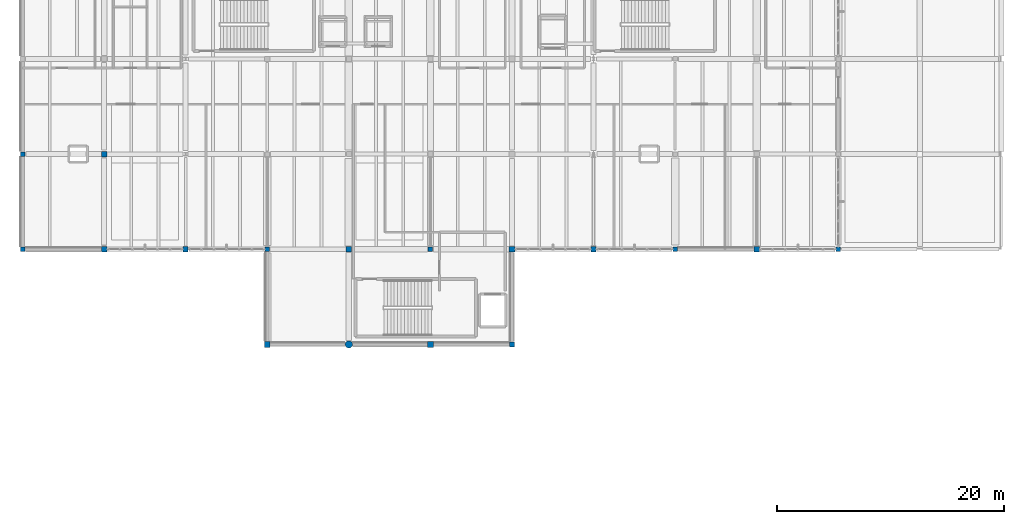
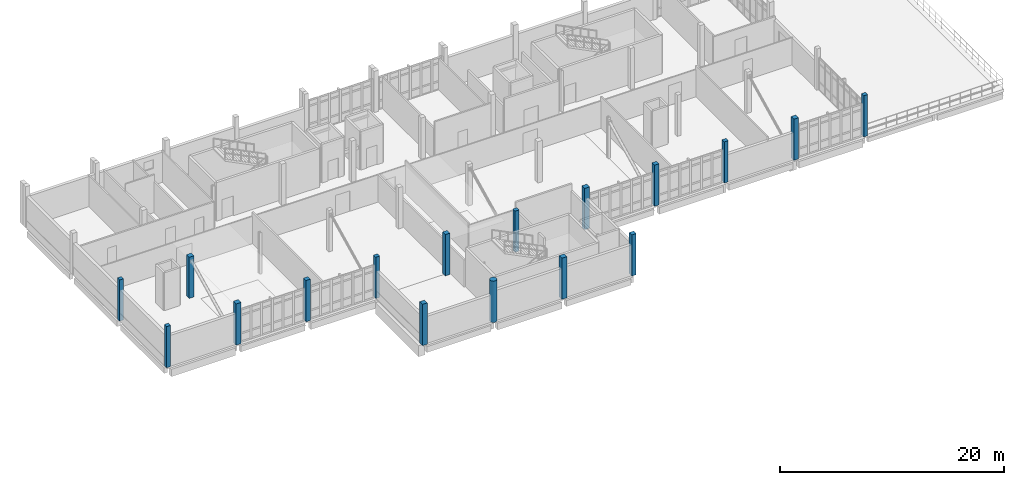
# One storey, part 1 of 34: 17 columns.
"""IFC4 building model written with IfcOpenShell, lengths in metres."""

from ifc_helpers import new_model, si_unit, direction, frame, origin, origin_2d, place, context, subcontext, project, spatial, rectangle, circle, extrude, material, material_profile, profile_set, type_object, element, save


model = new_model("IFC4")

# Units and contexts
model_context = context("Model", 3, precision=1e-05, world=origin(), true_north=direction((0.0, 1.0)))
body_context = subcontext(model_context, "Body", "Model", "MODEL_VIEW")
ifc_project = project(units=[si_unit("LENGTHUNIT", "METRE"), si_unit("AREAUNIT", "SQUARE_METRE"), si_unit("VOLUMEUNIT", "CUBIC_METRE"), si_unit("PLANEANGLEUNIT", "RADIAN"), si_unit("MASSUNIT", "GRAM", prefix="KILO")], contexts=[model_context])

# Site, building, storey
site_placement = place(None, origin())
site = spatial("IfcSite", under=ifc_project, at=site_placement, CompositionType="ELEMENT")
building_placement = place(site_placement, origin())
building = spatial("IfcBuilding", under=site, at=building_placement, Name="Kalluvel Institute of Natural Sciences", CompositionType="ELEMENT")
storey_placement = place(building_placement, frame((0.0, 0.0, 36.89990234375)))
storey = spatial("IfcBuildingStorey", under=building, at=storey_placement, Name="L08", CompositionType="ELEMENT", Elevation=36.89990234375)

# Columns
ifc_material = material(Name="Concrete M40", Category="concrete")
ifc_material_profile_1 = material_profile(ifc_material, rectangle(XDim=0.39990234375, YDim=0.39990234375, at=origin_2d()), Name="RC 400x400")
ifc_profile_set_1 = profile_set([ifc_material_profile_1], Name="Concrete M40")
column_type_1 = type_object("IfcColumnType", Name="COL-RC400", PredefinedType="COLUMN", material=ifc_profile_set_1)
for number, where, z_axis, x_axis, name in (
    (1, (14.0, 102.800048828125, 0.0), (0.0, 0.0, 1.0), (1.0, 0.0, 0.0), "L08 structural column COL-L08-X140-Y1028"),
    (2, (14.0, 111.199951171875, 0.0), (0.0, 0.0, 1.0), (1.0, 0.0, 0.0), "L08 structural column COL-L08-X140-Y1112"),
    (3, (35.60009765625, 102.800048828125, 0.0), (0.0, 0.0, 1.0), (1.0, 0.0, 0.0), "L08 structural column COL-L08-X356-Y1028"),
    (4, (50.0, 102.800048828125, 0.0), (0.0, 0.0, 1.0), (1.0, 0.0, 0.0), "L08 structural column COL-L08-X500-Y1028"),
    (5, (71.60009765625, 102.800048828125, 0.0), (0.0, 0.0, 1.0), (1.0, 0.0, 0.0), "L08 structural column COL-L08-X716-Y1028"),
    (6, (86.0, 102.800048828125, 0.0), (0.0, 0.0, 1.0), (1.0, 0.0, 0.0), "L08 structural column COL-L08-X860-Y1028"),
):
    element("IfcColumn", number, at=place(storey_placement, frame(where, z_axis=z_axis, x_axis=x_axis)), inside=storey, type_object=column_type_1, Name=name, PredefinedType="COLUMN", context=body_context, shape_type="SweptSolid", body=[
        extrude(rectangle(XDim=0.39990234375, YDim=0.39990234375, at=origin_2d()), origin(), (0.0, 0.0, 1.0), 4.5),
    ])
ifc_material_profile_2 = material_profile(ifc_material, rectangle(XDim=0.449951171875, YDim=0.449951171875, at=origin_2d()), Name="RC 450x450")
ifc_profile_set_2 = profile_set([ifc_material_profile_2], Name="Concrete M40")
column_type_2 = type_object("IfcColumnType", Name="COL-RC450", PredefinedType="COLUMN", material=ifc_profile_set_2)
for number, where, z_axis, x_axis, name in (
    (7, (28.39990234375, 102.800048828125, 0.0), (0.0, 0.0, 1.0), (1.0, 0.0, 0.0), "L08 structural column COL-L08-X284-Y1028"),
    (8, (57.199951171875, 94.39990234375, 0.0), (0.0, 0.0, 1.0), (1.0, 0.0, 0.0), "L08 structural column COL-L08-X572-Y944"),
    (9, (64.39990234375, 102.800048828125, 0.0), (0.0, 0.0, 1.0), (1.0, 0.0, 0.0), "L08 structural column COL-L08-X644-Y1028"),
):
    element("IfcColumn", number, at=place(storey_placement, frame(where, z_axis=z_axis, x_axis=x_axis)), inside=storey, type_object=column_type_2, Name=name, PredefinedType="COLUMN", context=body_context, shape_type="SweptSolid", body=[
        extrude(rectangle(XDim=0.449951171875, YDim=0.449951171875, at=origin_2d()), origin(), (0.0, 0.0, 1.0), 4.5),
    ])
ifc_material_profile_3 = material_profile(ifc_material, rectangle(XDim=0.5, YDim=0.5, at=origin_2d()), Name="RC 500x500")
ifc_profile_set_3 = profile_set([ifc_material_profile_3], Name="Concrete M40")
column_type_3 = type_object("IfcColumnType", Name="COL-RC500", PredefinedType="COLUMN", material=ifc_profile_set_3)
for number, where, z_axis, x_axis, name in (
    (10, (21.199951171875, 102.800048828125, 0.0), (0.0, 0.0, 1.0), (1.0, 0.0, 0.0), "L08 structural column COL-L08-X212-Y1028"),
    (11, (21.199951171875, 111.199951171875, 0.0), (0.0, 0.0, 1.0), (1.0, 0.0, 0.0), "L08 structural column COL-L08-X212-Y1112"),
    (12, (35.60009765625, 94.39990234375, 0.0), (0.0, 0.0, 1.0), (1.0, 0.0, 0.0), "L08 structural column COL-L08-X356-Y944"),
    (13, (42.800048828125, 102.800048828125, 0.0), (0.0, 0.0, 1.0), (1.0, 0.0, 0.0), "L08 structural column COL-L08-X428-Y1028"),
    (14, (50.0, 94.39990234375, 0.0), (0.0, 0.0, 1.0), (1.0, 0.0, 0.0), "L08 structural column COL-L08-X500-Y944"),
    (15, (57.199951171875, 102.800048828125, 0.0), (0.0, 0.0, 1.0), (1.0, 0.0, 0.0), "L08 structural column COL-L08-X572-Y1028"),
    (16, (78.800048828125, 102.800048828125, 0.0), (0.0, 0.0, 1.0), (1.0, 0.0, 0.0), "L08 structural column COL-L08-X788-Y1028"),
):
    element("IfcColumn", number, at=place(storey_placement, frame(where, z_axis=z_axis, x_axis=x_axis)), inside=storey, type_object=column_type_3, Name=name, PredefinedType="COLUMN", context=body_context, shape_type="SweptSolid", body=[
        extrude(rectangle(XDim=0.5, YDim=0.5, at=origin_2d()), origin(), (0.0, 0.0, 1.0), 4.5),
    ])
ifc_material_profile_4 = material_profile(ifc_material, circle(Radius=0.324951171875, at=origin_2d()), Name="RCCOL D650")
ifc_profile_set_4 = profile_set([ifc_material_profile_4], Name="Concrete M40")
column_type_4 = type_object("IfcColumnType", Name="COL-RCD650", PredefinedType="COLUMN", material=ifc_profile_set_4)
column_placement = place(storey_placement, frame((42.800048828125, 94.39990234375, 0.0), z_axis=(0.0, 0.0, 1.0), x_axis=(1.0, 0.0, 0.0)))
element("IfcColumn", 17, at=column_placement, inside=storey, type_object=column_type_4, Name="L08 structural column COL-L08-X428-Y944", PredefinedType="COLUMN", context=body_context, shape_type="SweptSolid", body=[
    extrude(circle(Radius=0.324951171875, at=origin_2d()), origin(), (0.0, 0.0, 1.0), 4.5),
])

save(model, "model.ifc")
